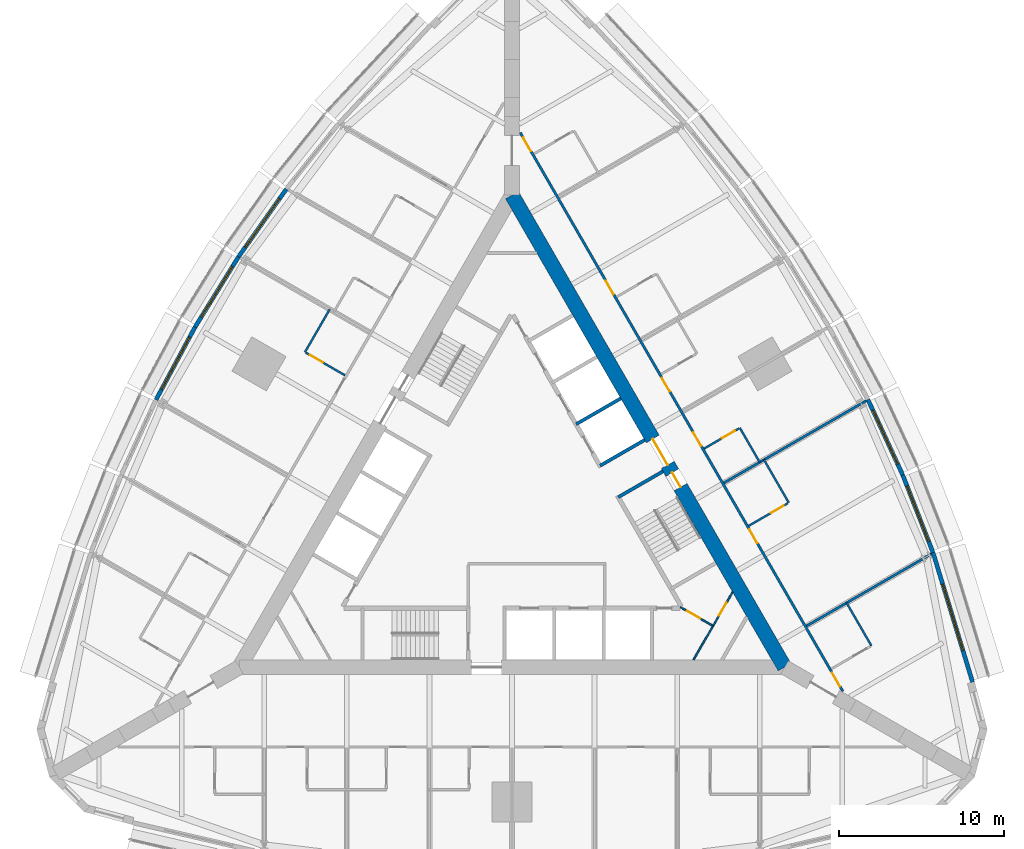
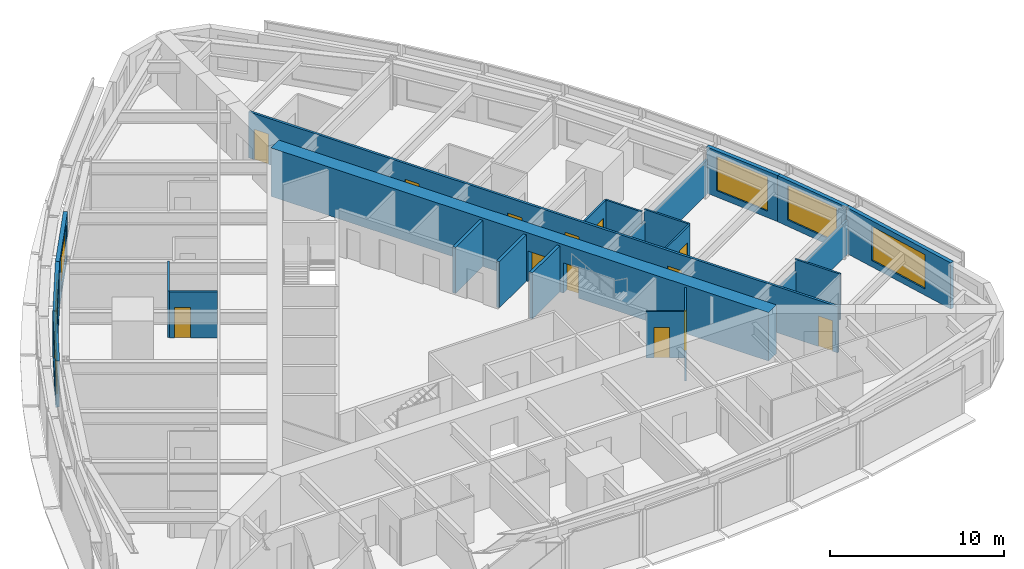
# One storey, part 11 of 14: 22 walls, 13 doors, 6 windows, 19 openings.
"""IFC4 building model written with IfcOpenShell, lengths in metres."""

from ifc_helpers import new_model, si_unit, direction, frame, frame_2d, origin, place, context, subcontext, project, spatial, rectangle, extrude, material, layer, layer_set, type_object, element, fill, save


model = new_model("IFC4")

# Units and contexts
model_context = context("Model", 3, precision=1e-05, world=origin(), true_north=direction((0.0, 1.0)))
body_context = subcontext(model_context, "Body", "Model", "MODEL_VIEW")
ifc_project = project(units=[si_unit("LENGTHUNIT", "METRE"), si_unit("AREAUNIT", "SQUARE_METRE"), si_unit("VOLUMEUNIT", "CUBIC_METRE"), si_unit("PLANEANGLEUNIT", "RADIAN"), si_unit("MASSUNIT", "GRAM", prefix="KILO")], contexts=[model_context])

# Site, building, storey
site_placement = place(None, origin())
site = spatial("IfcSite", under=ifc_project, at=site_placement, CompositionType="ELEMENT")
building_placement = place(site_placement, origin())
building = spatial("IfcBuilding", under=site, at=building_placement, Name="Trikona Tower", CompositionType="ELEMENT")
storey_placement = place(building_placement, frame((0.0, 0.0, 62.5)))
storey = spatial("IfcBuildingStorey", under=building, at=storey_placement, Name="L15", CompositionType="ELEMENT", Elevation=62.5)

# Walls
ifc_material_1 = material(Name="Metal stud and cement board", Category="gypsum")
ifc_layer_1 = layer(ifc_material_1, 0.1201171875)
ifc_layer_set_1 = layer_set([ifc_layer_1], Name="Bathroom wall 120")
wall_type_1 = type_object("IfcWallType", Name="Bathroom wall 120", PredefinedType="PLUMBINGWALL", material=ifc_layer_set_1)
for number, where, z_axis, x_axis, name in (
    (1, (21.75341796875, -8.225341796875, 0.0), (0.0, 0.0, 1.0), (-0.499990139034, 0.866031096941, 0.0), "Bathroom wall 1507"),
    (2, (16.75341796875, 0.434814453125, 0.0), (0.0, 0.0, 1.0), (-0.499990139034, 0.866031096941, 0.0), "Bathroom wall 1508"),
):
    element("IfcWall", number, at=place(storey_placement, frame(where, z_axis=z_axis, x_axis=x_axis)), inside=storey, type_object=wall_type_1, Name=name, PredefinedType="PLUMBINGWALL", context=body_context, shape_type="SweptSolid", body=[
        extrude(rectangle(XDim=3.0, YDim=0.1201171875, at=frame_2d((1.5, 0.0))), origin(), (0.0, 0.0, 1.0), 3.235107421875),
    ])

# Wall, opening, door
wall_1_placement = place(storey_placement, frame((14.32861328125, -0.965087890625, 0.0), z_axis=(0.0, 0.0, 1.0), x_axis=(0.866035715982, 0.499982138324, 0.0)))
wall_1 = element("IfcWall", 3, at=wall_1_placement, inside=storey, type_object=wall_type_1, Name="Bathroom wall 1508", PredefinedType="PLUMBINGWALL", context=body_context, shape_type="SweptSolid", body=[
    extrude(rectangle(XDim=2.73974609375, YDim=0.1201171875, at=frame_2d((1.369873046875, 0.0))), origin(), (0.0, 0.0, 1.0), 3.235107421875),
])
opening_1_placement = place(wall_1_placement, frame((1.550048828125, 0.0, 0.0)))
opening_1 = element("IfcOpeningElement", 4, at=opening_1_placement, cuts=wall_1, Name="Opening D2", PredefinedType="OPENING", context=body_context, shape_type="SweptSolid", body=[
    extrude(rectangle(XDim=0.89990234375, YDim=2.1298828125, at=frame_2d((0.449951171875, 1.06494140625))), frame((0.0, 0.070068359375, 0.0), z_axis=(0.0, -1.0, 0.0), x_axis=(1.0, 0.0, 0.0)), (0.0, 0.0, 1.0), 0.14013671875),
])
ifc_material_2 = material(Name="Steel door frame with solid-core timber leaf", Category="steel")
door_type_1 = type_object("IfcDoorType", Name="Bathroom door 900x2130", OperationType="SLIDING_TO_LEFT", PredefinedType="DOOR", material=ifc_material_2)
door_1_placement = place(opening_1_placement, origin())
door_1 = element("IfcDoor", 5, at=door_1_placement, inside=storey, type_object=door_type_1, Name="Bathroom door 1508", OperationType="SLIDING_TO_LEFT", OverallHeight=2.1298828125, OverallWidth=0.89990234375, PredefinedType="DOOR", context=body_context, shape_type="SweptSolid", body=[
    extrude(rectangle(XDim=0.89990234375, YDim=2.1298828125, at=frame_2d((0.449951171875, 1.06494140625))), frame((0.0, 0.02490234375, 0.0), z_axis=(0.0, -1.0, 0.0), x_axis=(1.0, 0.0, 0.0)), (0.0, 0.0, 1.0), 0.050048828125),
])
fill(opening_1, door_1)

# Wall
wall_2_placement = place(storey_placement, frame((14.993408203125, 2.883056640625, 0.0), z_axis=(0.0, 0.0, 1.0), x_axis=(-0.500001309137, 0.866024647952, 0.0)))
element("IfcWall", 6, at=wall_2_placement, inside=storey, type_object=wall_type_1, Name="Bathroom wall 1509", PredefinedType="PLUMBINGWALL", context=body_context, shape_type="SweptSolid", body=[
    extrude(rectangle(XDim=2.39990234375, YDim=0.1201171875, at=frame_2d((1.199951171875, 0.0))), origin(), (0.0, 0.0, 1.0), 3.235107421875),
])

# Wall, opening, door
wall_3_placement = place(storey_placement, frame((11.62841796875, 3.71142578125, 0.0), z_axis=(0.0, 0.0, 1.0), x_axis=(0.866048967903, 0.499959183527, 0.0)))
wall_3 = element("IfcWall", 7, at=wall_3_placement, inside=storey, type_object=wall_type_1, Name="Bathroom wall 1509", PredefinedType="PLUMBINGWALL", context=body_context, shape_type="SweptSolid", body=[
    extrude(rectangle(XDim=2.440185546875, YDim=0.1201171875, at=frame_2d((1.22021484375, 0.0))), origin(), (0.0, 0.0, 1.0), 3.235107421875),
])
opening_2_placement = place(wall_3_placement, frame((1.25, 0.0, 0.0)))
opening_2 = element("IfcOpeningElement", 8, at=opening_2_placement, cuts=wall_3, Name="Opening D2", PredefinedType="OPENING", context=body_context, shape_type="SweptSolid", body=[
    extrude(rectangle(XDim=0.89990234375, YDim=2.1298828125, at=frame_2d((0.449951171875, 1.06494140625))), frame((0.0, 0.070068359375, 0.0), z_axis=(0.0, -1.0, 0.0), x_axis=(1.0, 0.0, 0.0)), (0.0, 0.0, 1.0), 0.14013671875),
])
door_2_placement = place(opening_2_placement, origin())
door_2 = element("IfcDoor", 9, at=door_2_placement, inside=storey, type_object=door_type_1, Name="Bathroom door 1509", OperationType="SLIDING_TO_LEFT", OverallHeight=2.1298828125, OverallWidth=0.89990234375, PredefinedType="DOOR", context=body_context, shape_type="SweptSolid", body=[
    extrude(rectangle(XDim=0.89990234375, YDim=2.1298828125, at=frame_2d((0.449951171875, 1.06494140625))), frame((0.0, 0.02490234375, 0.0), z_axis=(0.0, -1.0, 0.0), x_axis=(1.0, 0.0, 0.0)), (0.0, 0.0, 1.0), 0.050048828125),
])
fill(opening_2, door_2)

# Wall
wall_4_placement = place(storey_placement, frame((-11.03271484375, 12.143310546875, 0.0), z_axis=(0.0, 0.0, 1.0), x_axis=(-0.499990139034, -0.866031096941, 0.0)))
element("IfcWall", 10, at=wall_4_placement, inside=storey, type_object=wall_type_1, Name="Bathroom wall 1515", PredefinedType="PLUMBINGWALL", context=body_context, shape_type="SweptSolid", body=[
    extrude(rectangle(XDim=3.0, YDim=0.1201171875, at=frame_2d((1.5, 0.0))), origin(), (0.0, 0.0, 1.0), 3.235107421875),
])

# Wall, opening, door
wall_5_placement = place(storey_placement, frame((-10.10791015625, 8.145263671875, 0.0), z_axis=(0.0, 0.0, 1.0), x_axis=(-0.866035715982, 0.499982138324, 0.0)))
wall_5 = element("IfcWall", 11, at=wall_5_placement, inside=storey, type_object=wall_type_1, Name="Bathroom wall 1515", PredefinedType="PLUMBINGWALL", context=body_context, shape_type="SweptSolid", body=[
    extrude(rectangle(XDim=2.73974609375, YDim=0.1201171875, at=frame_2d((1.369873046875, 0.0))), origin(), (0.0, 0.0, 1.0), 3.235107421875),
])
opening_3_placement = place(wall_5_placement, frame((1.550048828125, 0.0, 0.0)))
opening_3 = element("IfcOpeningElement", 12, at=opening_3_placement, cuts=wall_5, Name="Opening D2", PredefinedType="OPENING", context=body_context, shape_type="SweptSolid", body=[
    extrude(rectangle(XDim=0.89990234375, YDim=2.1298828125, at=frame_2d((0.449951171875, 1.06494140625))), frame((0.0, 0.070068359375, 0.0), z_axis=(0.0, -1.0, 0.0), x_axis=(1.0, 0.0, 0.0)), (0.0, 0.0, 1.0), 0.14013671875),
])
door_3_placement = place(opening_3_placement, origin())
door_3 = element("IfcDoor", 13, at=door_3_placement, inside=storey, type_object=door_type_1, Name="Bathroom door 1515", OperationType="SLIDING_TO_LEFT", OverallHeight=2.1298828125, OverallWidth=0.89990234375, PredefinedType="DOOR", context=body_context, shape_type="SweptSolid", body=[
    extrude(rectangle(XDim=0.89990234375, YDim=2.1298828125, at=frame_2d((0.449951171875, 1.06494140625))), frame((0.0, 0.02490234375, 0.0), z_axis=(0.0, -1.0, 0.0), x_axis=(1.0, 0.0, 0.0)), (0.0, 0.0, 1.0), 0.050048828125),
])
fill(opening_3, door_3)

# Wall, openings, doors
ifc_material_3 = material(Name="Concrete f'c 10000 psi", Category="concrete")
ifc_layer_2 = layer(ifc_material_3, 0.89990234375)
ifc_layer_set_2 = layer_set([ifc_layer_2], Name="Core wall 900")
wall_type_2 = type_object("IfcWallType", Name="Core wall 900", PredefinedType="SHEAR", material=ifc_layer_set_2)
wall_6_placement = place(storey_placement, frame((16.5, -9.5263671875, 0.0), z_axis=(0.0, 0.0, 1.0), x_axis=(-0.499999749417, 0.866025548458, 0.0)))
wall_6 = element("IfcWall", 14, at=wall_6_placement, inside=storey, type_object=wall_type_2, Name="Core wall B", PredefinedType="SHEAR", context=body_context, shape_type="SweptSolid", body=[
    extrude(rectangle(XDim=33.0, YDim=0.89990234375, at=frame_2d((16.5, 0.0))), origin(), (0.0, 0.0, 1.0), 3.39990234375),
])
opening_4_placement = place(wall_6_placement, frame((14.14990234375, 0.0, 0.0)))
opening_4 = element("IfcOpeningElement", 15, at=opening_4_placement, cuts=wall_6, Name="Opening D6", PredefinedType="OPENING", context=body_context, shape_type="SweptSolid", body=[
    extrude(rectangle(XDim=1.800048828125, YDim=2.1298828125, at=frame_2d((0.89990234375, 1.06494140625))), frame((0.0, 0.4599609375, 0.0), z_axis=(0.0, -1.0, 0.0), x_axis=(1.0, 0.0, 0.0)), (0.0, 0.0, 1.0), 0.919921875),
])
opening_5_placement = place(wall_6_placement, frame((12.60009765625, 0.0, 0.0)))
opening_5 = element("IfcOpeningElement", 16, at=opening_5_placement, cuts=wall_6, Name="Opening D5", PredefinedType="OPENING", context=body_context, shape_type="SweptSolid", body=[
    extrude(rectangle(XDim=1.0, YDim=2.1298828125, at=frame_2d((0.5, 1.06494140625))), frame((0.0, 0.4599609375, 0.0), z_axis=(0.0, -1.0, 0.0), x_axis=(1.0, 0.0, 0.0)), (0.0, 0.0, 1.0), 0.919921875),
])
ifc_material_4 = material(Name="Hollow metal door and frame", Category="steel")
door_type_2 = type_object("IfcDoorType", Name="Lobby door pair 1800x2130", OperationType="DOUBLE_DOOR_SINGLE_SWING", PredefinedType="DOOR", material=ifc_material_4)
door_4_placement = place(opening_4_placement, origin())
door_4 = element("IfcDoor", 17, at=door_4_placement, inside=storey, type_object=door_type_2, Name="Lift lobby door B", OperationType="DOUBLE_DOOR_SINGLE_SWING", OverallHeight=2.1298828125, OverallWidth=1.800048828125, PredefinedType="DOOR", context=body_context, shape_type="SweptSolid", body=[
    extrude(rectangle(XDim=1.800048828125, YDim=2.1298828125, at=frame_2d((0.89990234375, 1.06494140625))), frame((0.0, 0.02490234375, 0.0), z_axis=(0.0, -1.0, 0.0), x_axis=(1.0, 0.0, 0.0)), (0.0, 0.0, 1.0), 0.050048828125),
])
fill(opening_4, door_4)
ifc_material_5 = material(Name="Hollow metal door and frame", Category="steel")
door_type_3 = type_object("IfcDoorType", Name="Stair door 1000x2130", OperationType="SINGLE_SWING_LEFT", PredefinedType="DOOR", material=ifc_material_5)
door_5_placement = place(opening_5_placement, origin())
door_5 = element("IfcDoor", 18, at=door_5_placement, inside=storey, type_object=door_type_3, Name="Stair B door", OperationType="SINGLE_SWING_RIGHT", OverallHeight=2.1298828125, OverallWidth=1.0, PredefinedType="DOOR", context=body_context, shape_type="SweptSolid", body=[
    extrude(rectangle(XDim=1.0, YDim=2.1298828125, at=frame_2d((0.5, 1.06494140625))), frame((0.0, 0.02490234375, 0.0), z_axis=(0.0, -1.0, 0.0), x_axis=(1.0, 0.0, 0.0)), (0.0, 0.0, 1.0), 0.050048828125),
])
fill(opening_5, door_5)

ifc_material_6 = material(Name="Metal stud and gypsum board, 1-hour", Category="gypsum")
ifc_layer_3 = layer(ifc_material_6, 0.14990234375)
ifc_layer_set_3 = layer_set([ifc_layer_3], Name="Corridor wall 150")
wall_type_3 = type_object("IfcWallType", Name="Corridor wall 150", PredefinedType="PARTITIONING", material=ifc_layer_set_3)
wall_7_placement = place(storey_placement, frame((20.027099609375, -10.9853515625, 0.0), z_axis=(0.0, 0.0, 1.0), x_axis=(-0.500001677587, 0.866024435227, 0.0)))
wall_7 = element("IfcWall", 19, at=wall_7_placement, inside=storey, type_object=wall_type_3, Name="Corridor wall L15-2", PredefinedType="PARTITIONING", context=body_context, shape_type="SweptSolid", body=[
    extrude(rectangle(XDim=39.053955078125, YDim=0.14990234375, at=frame_2d((19.52685546875, 0.0))), origin(), (0.0, 0.0, 1.0), 3.235107421875),
])
opening_6_placement = place(wall_7_placement, frame((0.35205078125, 0.0, 0.0)))
opening_6 = element("IfcOpeningElement", 20, at=opening_6_placement, cuts=wall_7, Name="Opening D1", PredefinedType="OPENING", context=body_context, shape_type="SweptSolid", body=[
    extrude(rectangle(XDim=0.949951171875, YDim=2.1298828125, at=frame_2d((0.47509765625, 1.06494140625))), frame((0.0, 0.0849609375, 0.0), z_axis=(0.0, -1.0, 0.0), x_axis=(1.0, 0.0, 0.0)), (0.0, 0.0, 1.0), 0.169921875),
])
opening_7_placement = place(wall_7_placement, frame((10.35205078125, 0.0, 0.0)))
opening_7 = element("IfcOpeningElement", 21, at=opening_7_placement, cuts=wall_7, Name="Opening D1", PredefinedType="OPENING", context=body_context, shape_type="SweptSolid", body=[
    extrude(rectangle(XDim=0.949951171875, YDim=2.1298828125, at=frame_2d((0.47509765625, 1.06494140625))), frame((0.0, 0.0849609375, 0.0), z_axis=(0.0, -1.0, 0.0), x_axis=(1.0, 0.0, 0.0)), (0.0, 0.0, 1.0), 0.169921875),
])
opening_8_placement = place(wall_7_placement, frame((17.152099609375, 0.0, 0.0)))
opening_8 = element("IfcOpeningElement", 22, at=opening_8_placement, cuts=wall_7, Name="Opening D1", PredefinedType="OPENING", context=body_context, shape_type="SweptSolid", body=[
    extrude(rectangle(XDim=0.949951171875, YDim=2.1298828125, at=frame_2d((0.47509765625, 1.06494140625))), frame((0.0, 0.0849609375, 0.0), z_axis=(0.0, -1.0, 0.0), x_axis=(1.0, 0.0, 0.0)), (0.0, 0.0, 1.0), 0.169921875),
])
opening_9_placement = place(wall_7_placement, frame((20.951904296875, 0.0, 0.0)))
opening_9 = element("IfcOpeningElement", 23, at=opening_9_placement, cuts=wall_7, Name="Opening D1", PredefinedType="OPENING", context=body_context, shape_type="SweptSolid", body=[
    extrude(rectangle(XDim=0.949951171875, YDim=2.1298828125, at=frame_2d((0.47509765625, 1.06494140625))), frame((0.0, 0.0849609375, 0.0), z_axis=(0.0, -1.0, 0.0), x_axis=(1.0, 0.0, 0.0)), (0.0, 0.0, 1.0), 0.169921875),
])
opening_10_placement = place(wall_7_placement, frame((27.751953125, 0.0, 0.0)))
opening_10 = element("IfcOpeningElement", 24, at=opening_10_placement, cuts=wall_7, Name="Opening D1", PredefinedType="OPENING", context=body_context, shape_type="SweptSolid", body=[
    extrude(rectangle(XDim=0.949951171875, YDim=2.1298828125, at=frame_2d((0.47509765625, 1.06494140625))), frame((0.0, 0.0849609375, 0.0), z_axis=(0.0, -1.0, 0.0), x_axis=(1.0, 0.0, 0.0)), (0.0, 0.0, 1.0), 0.169921875),
])
opening_11_placement = place(wall_7_placement, frame((37.751953125, 0.0, 0.0)))
opening_11 = element("IfcOpeningElement", 25, at=opening_11_placement, cuts=wall_7, Name="Opening D1", PredefinedType="OPENING", context=body_context, shape_type="SweptSolid", body=[
    extrude(rectangle(XDim=0.949951171875, YDim=2.1298828125, at=frame_2d((0.47509765625, 1.06494140625))), frame((0.0, 0.0849609375, 0.0), z_axis=(0.0, -1.0, 0.0), x_axis=(1.0, 0.0, 0.0)), (0.0, 0.0, 1.0), 0.169921875),
])
ifc_material_7 = material(Name="Steel door frame with solid-core timber leaf", Category="steel")
door_type_4 = type_object("IfcDoorType", Name="Guest room door 950x2130", OperationType="SINGLE_SWING_LEFT", PredefinedType="DOOR", material=ifc_material_7)
door_6_placement = place(opening_6_placement, origin())
door_6 = element("IfcDoor", 26, at=door_6_placement, inside=storey, type_object=door_type_4, Name="Room door 1507", OperationType="SINGLE_SWING_LEFT", OverallHeight=2.1298828125, OverallWidth=0.949951171875, PredefinedType="DOOR", context=body_context, shape_type="SweptSolid", body=[
    extrude(rectangle(XDim=0.949951171875, YDim=2.1298828125, at=frame_2d((0.47509765625, 1.06494140625))), frame((0.0, 0.02490234375, 0.0), z_axis=(0.0, -1.0, 0.0), x_axis=(1.0, 0.0, 0.0)), (0.0, 0.0, 1.0), 0.050048828125),
])
fill(opening_6, door_6)
door_7_placement = place(opening_7_placement, origin())
door_7 = element("IfcDoor", 27, at=door_7_placement, inside=storey, type_object=door_type_4, Name="Room door 1508", OperationType="SINGLE_SWING_RIGHT", OverallHeight=2.1298828125, OverallWidth=0.949951171875, PredefinedType="DOOR", context=body_context, shape_type="SweptSolid", body=[
    extrude(rectangle(XDim=0.949951171875, YDim=2.1298828125, at=frame_2d((0.47509765625, 1.06494140625))), frame((0.0, 0.02490234375, 0.0), z_axis=(0.0, -1.0, 0.0), x_axis=(1.0, 0.0, 0.0)), (0.0, 0.0, 1.0), 0.050048828125),
])
fill(opening_7, door_7)
door_8_placement = place(opening_8_placement, origin())
door_8 = element("IfcDoor", 28, at=door_8_placement, inside=storey, type_object=door_type_4, Name="Room door 1509", OperationType="SINGLE_SWING_LEFT", OverallHeight=2.1298828125, OverallWidth=0.949951171875, PredefinedType="DOOR", context=body_context, shape_type="SweptSolid", body=[
    extrude(rectangle(XDim=0.949951171875, YDim=2.1298828125, at=frame_2d((0.47509765625, 1.06494140625))), frame((0.0, 0.02490234375, 0.0), z_axis=(0.0, -1.0, 0.0), x_axis=(1.0, 0.0, 0.0)), (0.0, 0.0, 1.0), 0.050048828125),
])
fill(opening_8, door_8)
door_9_placement = place(opening_9_placement, origin())
door_9 = element("IfcDoor", 29, at=door_9_placement, inside=storey, type_object=door_type_4, Name="Room door 1510", OperationType="SINGLE_SWING_RIGHT", OverallHeight=2.1298828125, OverallWidth=0.949951171875, PredefinedType="DOOR", context=body_context, shape_type="SweptSolid", body=[
    extrude(rectangle(XDim=0.949951171875, YDim=2.1298828125, at=frame_2d((0.47509765625, 1.06494140625))), frame((0.0, 0.02490234375, 0.0), z_axis=(0.0, -1.0, 0.0), x_axis=(1.0, 0.0, 0.0)), (0.0, 0.0, 1.0), 0.050048828125),
])
fill(opening_9, door_9)
door_10_placement = place(opening_10_placement, origin())
door_10 = element("IfcDoor", 30, at=door_10_placement, inside=storey, type_object=door_type_4, Name="Room door 1511", OperationType="SINGLE_SWING_LEFT", OverallHeight=2.1298828125, OverallWidth=0.949951171875, PredefinedType="DOOR", context=body_context, shape_type="SweptSolid", body=[
    extrude(rectangle(XDim=0.949951171875, YDim=2.1298828125, at=frame_2d((0.47509765625, 1.06494140625))), frame((0.0, 0.02490234375, 0.0), z_axis=(0.0, -1.0, 0.0), x_axis=(1.0, 0.0, 0.0)), (0.0, 0.0, 1.0), 0.050048828125),
])
fill(opening_10, door_10)
door_11_placement = place(opening_11_placement, origin())
door_11 = element("IfcDoor", 31, at=door_11_placement, inside=storey, type_object=door_type_4, Name="Room door 1512", OperationType="SINGLE_SWING_RIGHT", OverallHeight=2.1298828125, OverallWidth=0.949951171875, PredefinedType="DOOR", context=body_context, shape_type="SweptSolid", body=[
    extrude(rectangle(XDim=0.949951171875, YDim=2.1298828125, at=frame_2d((0.47509765625, 1.06494140625))), frame((0.0, 0.02490234375, 0.0), z_axis=(0.0, -1.0, 0.0), x_axis=(1.0, 0.0, 0.0)), (0.0, 0.0, 1.0), 0.050048828125),
])
fill(opening_11, door_11)

# Wall, opening, window
ifc_material_8 = material(Name="Insulated precast concrete spandrel panel", Category="concrete")
ifc_layer_4 = layer(ifc_material_8, 0.25)
ifc_layer_set_4 = layer_set([ifc_layer_4], Name="Inner skin wall 250")
wall_type_4 = type_object("IfcWallType", Name="Inner skin wall 250", PredefinedType="STANDARD", material=ifc_layer_set_4)
wall_8_placement = place(storey_placement, frame((27.88037109375, -10.4287109375, 0.0), z_axis=(0.0, 0.0, 1.0), x_axis=(-0.2919790669, 0.956424709265, 0.0)))
wall_8 = element("IfcWall", 32, at=wall_8_placement, inside=storey, type_object=wall_type_4, Name="External wall L15-12", PredefinedType="STANDARD", context=body_context, shape_type="SweptSolid", body=[
    extrude(rectangle(XDim=8.211181640625, YDim=0.25, at=frame_2d((4.10546875, 0.0))), origin(), (0.0, 0.0, 1.0), 3.235107421875),
])
opening_12_placement = place(wall_8_placement, frame((2.005615234375, 0.0, 0.449951171875)))
opening_12 = element("IfcOpeningElement", 33, at=opening_12_placement, cuts=wall_8, Name="Opening W4224", PredefinedType="OPENING", context=body_context, shape_type="SweptSolid", body=[
    extrude(rectangle(XDim=4.199951171875, YDim=2.39990234375, at=frame_2d((2.10009765625, 1.199951171875))), frame((0.0, 0.135009765625, 0.0), z_axis=(0.0, -1.0, 0.0), x_axis=(1.0, 0.0, 0.0)), (0.0, 0.0, 1.0), 0.27001953125),
])
ifc_material_9 = material(Name="Aluminium-framed double glazing", Category="aluminium")
window_type_1 = type_object("IfcWindowType", Name="Window 4200x2400", PartitioningType="SINGLE_PANEL", PredefinedType="WINDOW", material=ifc_material_9)
window_1_placement = place(opening_12_placement, origin())
window_1 = element("IfcWindow", 34, at=window_1_placement, inside=storey, type_object=window_type_1, Name="Window 1507", OverallHeight=2.39990234375, OverallWidth=4.199951171875, PartitioningType="SINGLE_PANEL", PredefinedType="WINDOW", context=body_context, shape_type="SweptSolid", body=[
    extrude(rectangle(XDim=4.199951171875, YDim=2.39990234375, at=frame_2d((2.10009765625, 1.199951171875))), frame((0.0, 0.030029296875, 0.0), z_axis=(0.0, -1.0, 0.0), x_axis=(1.0, 0.0, 0.0)), (0.0, 0.0, 1.0), 0.06005859375),
])
fill(opening_12, window_1)

wall_9_placement = place(storey_placement, frame((25.486083984375, -2.58447265625, 0.0), z_axis=(0.0, 0.0, 1.0), x_axis=(-0.364013463868, 0.931393685894, 0.0)))
wall_9 = element("IfcWall", 35, at=wall_9_placement, inside=storey, type_object=wall_type_4, Name="External wall L15-13", PredefinedType="STANDARD", context=body_context, shape_type="SweptSolid", body=[
    extrude(rectangle(XDim=5.0576171875, YDim=0.25, at=frame_2d((2.52880859375, 0.0))), origin(), (0.0, 0.0, 1.0), 3.235107421875),
])
opening_13_placement = place(wall_9_placement, frame((0.728759765625, 0.0, 0.449951171875)))
opening_13 = element("IfcOpeningElement", 36, at=opening_13_placement, cuts=wall_9, Name="Opening W3624", PredefinedType="OPENING", context=body_context, shape_type="SweptSolid", body=[
    extrude(rectangle(XDim=3.60009765625, YDim=2.39990234375, at=frame_2d((1.800048828125, 1.199951171875))), frame((0.0, 0.135009765625, 0.0), z_axis=(0.0, -1.0, 0.0), x_axis=(1.0, 0.0, 0.0)), (0.0, 0.0, 1.0), 0.27001953125),
])
ifc_material_10 = material(Name="Aluminium-framed double glazing", Category="aluminium")
window_type_2 = type_object("IfcWindowType", Name="Window 3600x2400", PartitioningType="SINGLE_PANEL", PredefinedType="WINDOW", material=ifc_material_10)
window_2_placement = place(opening_13_placement, origin())
window_2 = element("IfcWindow", 37, at=window_2_placement, inside=storey, type_object=window_type_2, Name="Window 1508", OverallHeight=2.39990234375, OverallWidth=3.60009765625, PartitioningType="SINGLE_PANEL", PredefinedType="WINDOW", context=body_context, shape_type="SweptSolid", body=[
    extrude(rectangle(XDim=3.60009765625, YDim=2.39990234375, at=frame_2d((1.800048828125, 1.199951171875))), frame((0.0, 0.030029296875, 0.0), z_axis=(0.0, -1.0, 0.0), x_axis=(1.0, 0.0, 0.0)), (0.0, 0.0, 1.0), 0.06005859375),
])
fill(opening_13, window_2)

wall_10_placement = place(storey_placement, frame((23.64794921875, 2.119384765625, 0.0), z_axis=(0.0, 0.0, 1.0), x_axis=(-0.419203100754, 0.907892482796, 0.0)))
wall_10 = element("IfcWall", 38, at=wall_10_placement, inside=storey, type_object=wall_type_4, Name="External wall L15-14", PredefinedType="STANDARD", context=body_context, shape_type="SweptSolid", body=[
    extrude(rectangle(XDim=5.020751953125, YDim=0.25, at=frame_2d((2.51025390625, 0.0))), origin(), (0.0, 0.0, 1.0), 3.235107421875),
])
opening_14_placement = place(wall_10_placement, frame((0.71044921875, 0.0, 0.449951171875)))
opening_14 = element("IfcOpeningElement", 39, at=opening_14_placement, cuts=wall_10, Name="Opening W3624", PredefinedType="OPENING", context=body_context, shape_type="SweptSolid", body=[
    extrude(rectangle(XDim=3.60009765625, YDim=2.39990234375, at=frame_2d((1.800048828125, 1.199951171875))), frame((0.0, 0.135009765625, 0.0), z_axis=(0.0, -1.0, 0.0), x_axis=(1.0, 0.0, 0.0)), (0.0, 0.0, 1.0), 0.27001953125),
])
window_3_placement = place(opening_14_placement, origin())
window_3 = element("IfcWindow", 40, at=window_3_placement, inside=storey, type_object=window_type_2, Name="Window 1508", OverallHeight=2.39990234375, OverallWidth=3.60009765625, PartitioningType="SINGLE_PANEL", PredefinedType="WINDOW", context=body_context, shape_type="SweptSolid", body=[
    extrude(rectangle(XDim=3.60009765625, YDim=2.39990234375, at=frame_2d((1.800048828125, 1.199951171875))), frame((0.0, 0.030029296875, 0.0), z_axis=(0.0, -1.0, 0.0), x_axis=(1.0, 0.0, 0.0)), (0.0, 0.0, 1.0), 0.06005859375),
])
fill(opening_14, window_3)

wall_11_placement = place(storey_placement, frame((-13.659423828125, 19.420166015625, 0.0), z_axis=(0.0, 0.0, 1.0), x_axis=(-0.5766431066, -0.81699616132, 0.0)))
wall_11 = element("IfcWall", 41, at=wall_11_placement, inside=storey, type_object=wall_type_4, Name="External wall L15-26", PredefinedType="STANDARD", context=body_context, shape_type="SweptSolid", body=[
    extrude(rectangle(XDim=5.02099609375, YDim=0.25, at=frame_2d((2.510498046875, 0.0))), origin(), (0.0, 0.0, 1.0), 3.235107421875),
])
opening_15_placement = place(wall_11_placement, frame((0.71044921875, 0.0, 0.449951171875)))
opening_15 = element("IfcOpeningElement", 42, at=opening_15_placement, cuts=wall_11, Name="Opening W3624", PredefinedType="OPENING", context=body_context, shape_type="SweptSolid", body=[
    extrude(rectangle(XDim=3.60009765625, YDim=2.39990234375, at=frame_2d((1.800048828125, 1.199951171875))), frame((0.0, 0.135009765625, 0.0), z_axis=(0.0, -1.0, 0.0), x_axis=(1.0, 0.0, 0.0)), (0.0, 0.0, 1.0), 0.27001953125),
])
window_4_placement = place(opening_15_placement, origin())
window_4 = element("IfcWindow", 43, at=window_4_placement, inside=storey, type_object=window_type_2, Name="Window 1514", OverallHeight=2.39990234375, OverallWidth=3.60009765625, PartitioningType="SINGLE_PANEL", PredefinedType="WINDOW", context=body_context, shape_type="SweptSolid", body=[
    extrude(rectangle(XDim=3.60009765625, YDim=2.39990234375, at=frame_2d((1.800048828125, 1.199951171875))), frame((0.0, 0.030029296875, 0.0), z_axis=(0.0, -1.0, 0.0), x_axis=(1.0, 0.0, 0.0)), (0.0, 0.0, 1.0), 0.06005859375),
])
fill(opening_15, window_4)

wall_12_placement = place(storey_placement, frame((-16.550537109375, 15.324462890625, 0.0), z_axis=(0.0, 0.0, 1.0), x_axis=(-0.526132807704, -0.850402415717, 0.0)))
wall_12 = element("IfcWall", 44, at=wall_12_placement, inside=storey, type_object=wall_type_4, Name="External wall L15-27", PredefinedType="STANDARD", context=body_context, shape_type="SweptSolid", body=[
    extrude(rectangle(XDim=5.002197265625, YDim=0.25, at=frame_2d((2.5009765625, 0.0))), origin(), (0.0, 0.0, 1.0), 3.235107421875),
])
opening_16_placement = place(wall_12_placement, frame((0.701171875, 0.0, 0.449951171875)))
opening_16 = element("IfcOpeningElement", 45, at=opening_16_placement, cuts=wall_12, Name="Opening W3624", PredefinedType="OPENING", context=body_context, shape_type="SweptSolid", body=[
    extrude(rectangle(XDim=3.60009765625, YDim=2.39990234375, at=frame_2d((1.800048828125, 1.199951171875))), frame((0.0, 0.135009765625, 0.0), z_axis=(0.0, -1.0, 0.0), x_axis=(1.0, 0.0, 0.0)), (0.0, 0.0, 1.0), 0.27001953125),
])
window_5_placement = place(opening_16_placement, origin())
window_5 = element("IfcWindow", 46, at=window_5_placement, inside=storey, type_object=window_type_2, Name="Window 1515", OverallHeight=2.39990234375, OverallWidth=3.60009765625, PartitioningType="SINGLE_PANEL", PredefinedType="WINDOW", context=body_context, shape_type="SweptSolid", body=[
    extrude(rectangle(XDim=3.60009765625, YDim=2.39990234375, at=frame_2d((1.800048828125, 1.199951171875))), frame((0.0, 0.030029296875, 0.0), z_axis=(0.0, -1.0, 0.0), x_axis=(1.0, 0.0, 0.0)), (0.0, 0.0, 1.0), 0.06005859375),
])
fill(opening_16, window_5)

wall_13_placement = place(storey_placement, frame((-19.178466796875, 11.0771484375, 0.0), z_axis=(0.0, 0.0, 1.0), x_axis=(-0.473412820489, -0.880840678782, 0.0)))
wall_13 = element("IfcWall", 47, at=wall_13_placement, inside=storey, type_object=wall_type_4, Name="External wall L15-28", PredefinedType="STANDARD", context=body_context, shape_type="SweptSolid", body=[
    extrude(rectangle(XDim=5.00244140625, YDim=0.25, at=frame_2d((2.501220703125, 0.0))), origin(), (0.0, 0.0, 1.0), 3.235107421875),
])
opening_17_placement = place(wall_13_placement, frame((0.701171875, 0.0, 0.449951171875)))
opening_17 = element("IfcOpeningElement", 48, at=opening_17_placement, cuts=wall_13, Name="Opening W3624", PredefinedType="OPENING", context=body_context, shape_type="SweptSolid", body=[
    extrude(rectangle(XDim=3.60009765625, YDim=2.39990234375, at=frame_2d((1.800048828125, 1.199951171875))), frame((0.0, 0.135009765625, 0.0), z_axis=(0.0, -1.0, 0.0), x_axis=(1.0, 0.0, 0.0)), (0.0, 0.0, 1.0), 0.27001953125),
])
window_6_placement = place(opening_17_placement, origin())
window_6 = element("IfcWindow", 49, at=window_6_placement, inside=storey, type_object=window_type_2, Name="Window 1515", OverallHeight=2.39990234375, OverallWidth=3.60009765625, PartitioningType="SINGLE_PANEL", PredefinedType="WINDOW", context=body_context, shape_type="SweptSolid", body=[
    extrude(rectangle(XDim=3.60009765625, YDim=2.39990234375, at=frame_2d((1.800048828125, 1.199951171875))), frame((0.0, 0.030029296875, 0.0), z_axis=(0.0, -1.0, 0.0), x_axis=(1.0, 0.0, 0.0)), (0.0, 0.0, 1.0), 0.06005859375),
])
fill(opening_17, window_6)

# Walls
ifc_material_11 = material(Name="Metal stud and gypsum board, 1-hour acoustic", Category="gypsum")
ifc_layer_5 = layer(ifc_material_11, 0.14990234375)
ifc_layer_set_5 = layer_set([ifc_layer_5], Name="Party wall 150")
wall_type_5 = type_object("IfcWallType", Name="Party wall 150", PredefinedType="PARTITIONING", material=ifc_layer_set_5)
wall_14_placement = place(storey_placement, frame((17.82861328125, -7.027099609375, 0.0), z_axis=(0.0, 0.0, 1.0), x_axis=(0.866032659912, 0.499987431809, 0.0)))
element("IfcWall", 50, at=wall_14_placement, inside=storey, type_object=wall_type_5, Name="Partition L15 F2 u-15", PredefinedType="PARTITIONING", context=body_context, shape_type="SweptSolid", body=[
    extrude(rectangle(XDim=8.719970703125, YDim=0.14990234375, at=frame_2d((4.35986328125, 0.0))), origin(), (0.0, 0.0, 1.0), 2.38916015625),
])
wall_15_placement = place(storey_placement, frame((12.82861328125, 1.633056640625, 0.0), z_axis=(0.0, 0.0, 1.0), x_axis=(0.866026934769, 0.499997348248, 0.0)))
element("IfcWall", 51, at=wall_15_placement, inside=storey, type_object=wall_type_5, Name="Partition L15 F2 u-5", PredefinedType="PARTITIONING", context=body_context, shape_type="SweptSolid", body=[
    extrude(rectangle(XDim=9.94287109375, YDim=0.14990234375, at=frame_2d((4.971435546875, 0.0))), origin(), (0.0, 0.0, 1.0), 2.38916015625),
])
ifc_material_12 = material(Name="Concrete f'c 8000 psi", Category="concrete")
ifc_layer_6 = layer(ifc_material_12, 0.199951171875)
ifc_layer_set_6 = layer_set([ifc_layer_6], Name="Shaft wall 200")
wall_type_6 = type_object("IfcWallType", Name="Shaft wall 200", PredefinedType="SOLIDWALL", material=ifc_layer_set_6)
for number, where, z_axis, x_axis, name in (
    (52, (5.3291015625, 2.672607421875, 0.0), (0.0, 0.0, 1.0), (0.866022959057, 0.500004234368, 0.0), "Shaft wall B3"),
    (53, (3.87890625, 5.18408203125, 0.0), (0.0, 0.0, 1.0), (0.866022959057, 0.500004234368, 0.0), "Shaft wall B4"),
):
    element("IfcWall", number, at=place(storey_placement, frame(where, z_axis=z_axis, x_axis=x_axis)), inside=storey, type_object=wall_type_6, Name=name, PredefinedType="SOLIDWALL", context=body_context, shape_type="SweptSolid", body=[
        extrude(rectangle(XDim=3.125, YDim=0.199951171875, at=frame_2d((1.5625, 0.0))), origin(), (0.0, 0.0, 1.0), 3.235107421875),
    ])
ifc_material_13 = material(Name="Concrete f'c 8000 psi", Category="concrete")
ifc_layer_7 = layer(ifc_material_13, 0.199951171875)
ifc_layer_set_7 = layer_set([ifc_layer_7], Name="Shaft wall 200 load-bearing")
wall_type_7 = type_object("IfcWallType", Name="Shaft wall 200 load-bearing", PredefinedType="SOLIDWALL", material=ifc_layer_set_7)
wall_16_placement = place(storey_placement, frame((6.428955078125, 0.767333984375, 0.0), z_axis=(0.0, 0.0, 1.0), x_axis=(0.866022959057, 0.500004234368, 0.0)))
element("IfcWall", 54, at=wall_16_placement, inside=storey, type_object=wall_type_7, Name="Shaft wall B2", PredefinedType="SOLIDWALL", context=body_context, shape_type="SweptSolid", body=[
    extrude(rectangle(XDim=3.125, YDim=0.199951171875, at=frame_2d((1.5625, 0.0))), origin(), (0.0, 0.0, 1.0), 3.235107421875),
])

# Wall, opening, door
ifc_material_14 = material(Name="Metal stud and gypsum board, acoustic", Category="gypsum")
ifc_layer_8 = layer(ifc_material_14, 0.10009765625)
ifc_layer_set_8 = layer_set([ifc_layer_8], Name="Suite partition 100")
wall_type_8 = type_object("IfcWallType", Name="Suite partition 100", PredefinedType="PARTITIONING", material=ifc_layer_set_8)
wall_17_placement = place(storey_placement, frame((13.353515625, -4.976318359375, 0.0), z_axis=(0.0, 0.0, 1.0), x_axis=(-0.499999210213, -0.866025859768, 0.0)))
wall_17 = element("IfcWall", 55, at=wall_17_placement, inside=storey, type_object=wall_type_8, Name="Store partition L15-RS1", PredefinedType="PARTITIONING", context=body_context, shape_type="SweptSolid", body=[
    extrude(rectangle(XDim=4.734375, YDim=0.10009765625, at=frame_2d((2.3671875, 0.0))), origin(), (0.0, 0.0, 1.0), 3.235107421875),
])
opening_18_placement = place(wall_17_placement, frame((0.733642578125, 0.0, 0.0)))
opening_18 = element("IfcOpeningElement", 56, at=opening_18_placement, cuts=wall_17, Name="Opening D15", PredefinedType="OPENING", context=body_context, shape_type="SweptSolid", body=[
    extrude(rectangle(XDim=0.89990234375, YDim=2.1298828125, at=frame_2d((0.449951171875, 1.06494140625))), frame((0.0, 0.06005859375, 0.0), z_axis=(0.0, -1.0, 0.0), x_axis=(1.0, 0.0, 0.0)), (0.0, 0.0, 1.0), 0.1201171875),
])
ifc_material_15 = material(Name="Steel door frame with solid-core timber leaf", Category="steel")
door_type_5 = type_object("IfcDoorType", Name="Store door 900x2130", OperationType="SINGLE_SWING_LEFT", PredefinedType="DOOR", material=ifc_material_15)
door_12_placement = place(opening_18_placement, origin())
door_12 = element("IfcDoor", 57, at=door_12_placement, inside=storey, type_object=door_type_5, Name="Door Storage STO", OperationType="SINGLE_SWING_LEFT", OverallHeight=2.1298828125, OverallWidth=0.89990234375, PredefinedType="DOOR", context=body_context, shape_type="SweptSolid", body=[
    extrude(rectangle(XDim=0.89990234375, YDim=2.1298828125, at=frame_2d((0.449951171875, 1.06494140625))), frame((0.0, 0.02490234375, 0.0), z_axis=(0.0, -1.0, 0.0), x_axis=(1.0, 0.0, 0.0)), (0.0, 0.0, 1.0), 0.050048828125),
])
fill(opening_18, door_12)

wall_18_placement = place(storey_placement, frame((12.169921875, -7.0263671875, 0.0), z_axis=(0.0, 0.0, 1.0), x_axis=(-0.866015833478, 0.50001657589, 0.0)))
wall_18 = element("IfcWall", 58, at=wall_18_placement, inside=storey, type_object=wall_type_8, Name="Store partition L15-RS1", PredefinedType="PARTITIONING", context=body_context, shape_type="SweptSolid", body=[
    extrude(rectangle(XDim=2.275390625, YDim=0.10009765625, at=frame_2d((1.1376953125, 0.0))), origin(), (0.0, 0.0, 1.0), 3.235107421875),
])
opening_19_placement = place(wall_18_placement, frame((0.9150390625, 0.0, 0.0)))
opening_19 = element("IfcOpeningElement", 59, at=opening_19_placement, cuts=wall_18, Name="Opening D15", PredefinedType="OPENING", context=body_context, shape_type="SweptSolid", body=[
    extrude(rectangle(XDim=0.89990234375, YDim=2.1298828125, at=frame_2d((0.449951171875, 1.06494140625))), frame((0.0, 0.06005859375, 0.0), z_axis=(0.0, -1.0, 0.0), x_axis=(1.0, 0.0, 0.0)), (0.0, 0.0, 1.0), 0.1201171875),
])
door_13_placement = place(opening_19_placement, origin())
door_13 = element("IfcDoor", 60, at=door_13_placement, inside=storey, type_object=door_type_5, Name="Door Luggage store LUG", OperationType="SINGLE_SWING_RIGHT", OverallHeight=2.1298828125, OverallWidth=0.89990234375, PredefinedType="DOOR", context=body_context, shape_type="SweptSolid", body=[
    extrude(rectangle(XDim=0.89990234375, YDim=2.1298828125, at=frame_2d((0.449951171875, 1.06494140625))), frame((0.0, 0.02490234375, 0.0), z_axis=(0.0, -1.0, 0.0), x_axis=(1.0, 0.0, 0.0)), (0.0, 0.0, 1.0), 0.050048828125),
])
fill(opening_19, door_13)

save(model, "model.ifc")
